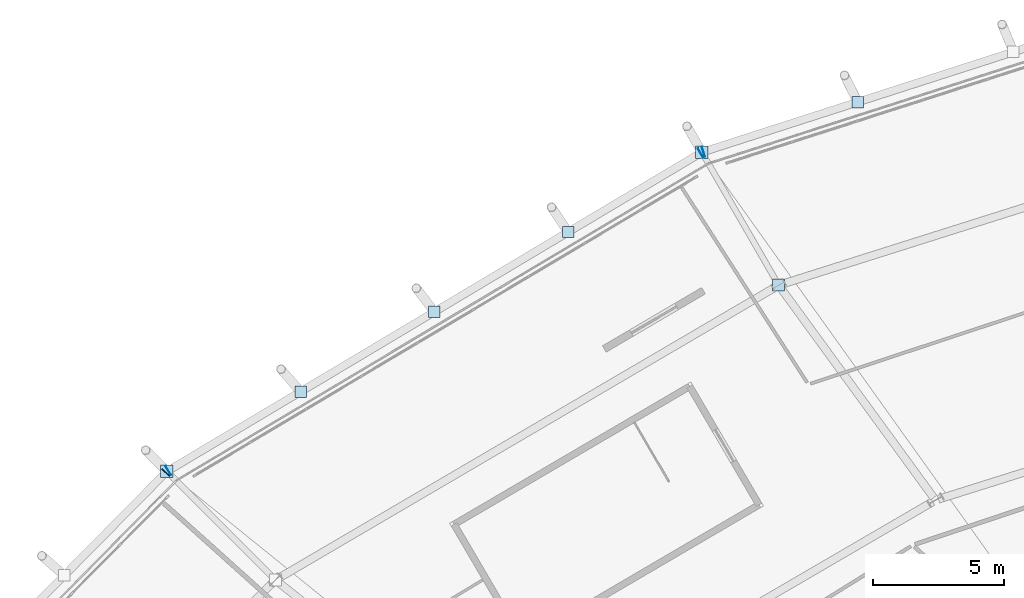
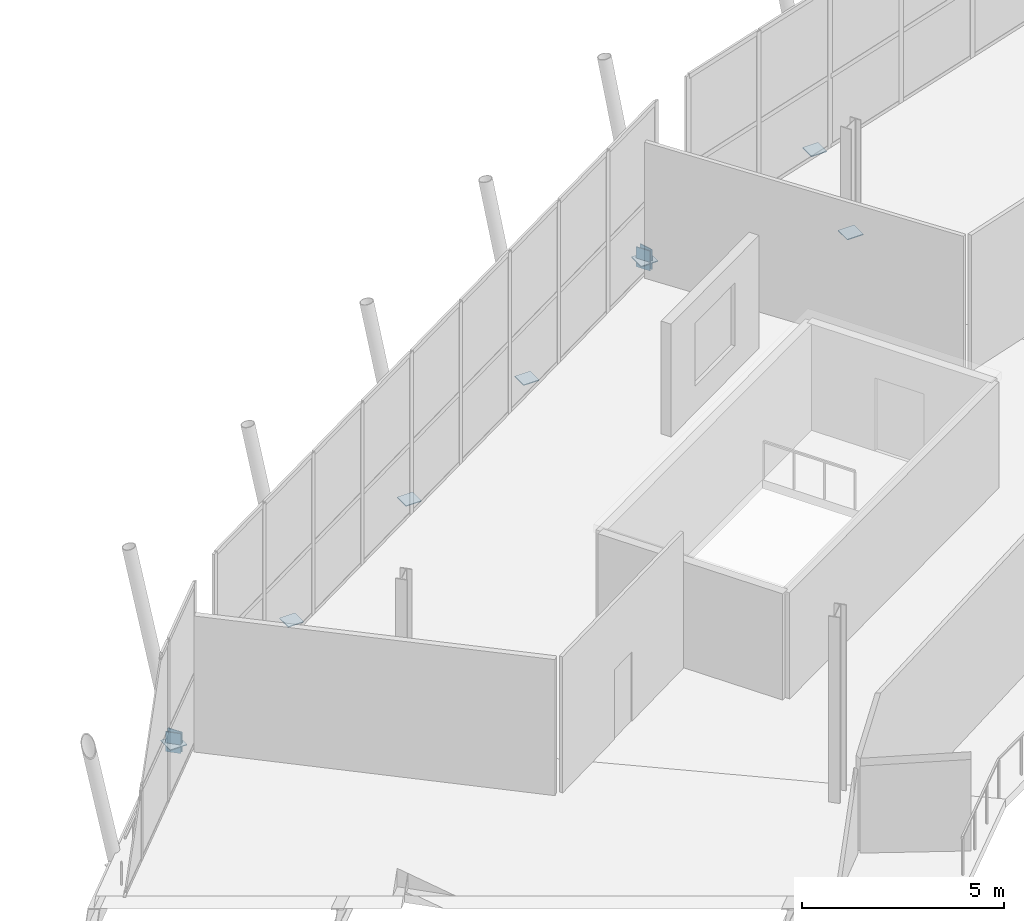
# One storey, part 77 of 99: 11 plates.
"""IFC4 building model written with IfcOpenShell, lengths in metres."""

import ifcopenshell
import ifcopenshell.guid

model = None  # the IFC model being written
_history = None  # IfcOwnerHistory: only IFC2X3 demands one
_inside = {}  # id of a spatial element -> (the spatial element, [elements in it])
_under = {}  # id of a project, library or spatial element -> (it, [spatial elements below it])
_declared = {}  # id of a project -> (the project, [libraries it declares])
_typed = {}  # id of a type object -> (the type object, [elements of that type])
_made_of = {}  # id of a material, layer set ... -> (it, [elements and type objects made of it])


def new_model(schema):
    """Start an empty IFC model of exactly this schema.

    Asked for "IFC4X3", IfcOpenShell would pick the latest addendum, in which some entities
    have other attributes; the version numbers below select the first issue.
    IFC2X3 requires an IfcOwnerHistory on every rooted entity: one is made here for all.
    """
    global model, _history
    if schema == "IFC4X3":
        model = ifcopenshell.file(schema_version=(4, 3, 0, 0))
    else:
        model = ifcopenshell.file(schema=schema)
    _inside.clear()
    _under.clear()
    _declared.clear()
    _typed.clear()
    _made_of.clear()
    _history = None
    if model.schema == "IFC2X3":
        org = make("IfcOrganization", Name="unknown")
        user = make(
            "IfcPersonAndOrganization",
            ThePerson=make("IfcPerson", FamilyName="unknown"),
            TheOrganization=org,
        )
        app = make(
            "IfcApplication",
            ApplicationDeveloper=org,
            Version="unknown",
            ApplicationFullName="unknown",
            ApplicationIdentifier="unknown",
        )
        _history = make(
            "IfcOwnerHistory",
            OwningUser=user,
            OwningApplication=app,
            ChangeAction="ADDED",
            CreationDate=0,
        )
    return model


def make(cls, **values):
    """One entity of the class cls with the attributes given. An attribute that is None is left unset."""
    return model.create_entity(
        cls, **{name: value for name, value in values.items() if value is not None}
    )


def rooted(cls, **values):
    """An entity with a GlobalId (a new one), such as an element, a storey or a relation."""
    return make(cls, GlobalId=ifcopenshell.guid.new(), OwnerHistory=_history, **values)


def si_unit(unit_type, name, prefix=None):
    """IfcSIUnit, for example si_unit("LENGTHUNIT", "METRE", prefix="MILLI")."""
    return make("IfcSIUnit", UnitType=unit_type, Prefix=prefix, Name=name)


def assignment(units):
    """IfcUnitAssignment: the units of a project."""
    return None if units is None else make("IfcUnitAssignment", Units=units)


def point(xyz):
    """IfcCartesianPoint."""
    return None if xyz is None else make("IfcCartesianPoint", Coordinates=xyz)


def direction(xyz):
    """IfcDirection."""
    return None if xyz is None else make("IfcDirection", DirectionRatios=xyz)


def frame(location, z_axis=None, x_axis=None):
    """IfcAxis2Placement3D, a coordinate frame: its origin and axes. An axis left out is left unset."""
    return make(
        "IfcAxis2Placement3D",
        Location=point(location),
        Axis=direction(z_axis),
        RefDirection=direction(x_axis),
    )


def frame_2d(location, x_axis=None):
    """IfcAxis2Placement2D, a coordinate frame in the plane: its origin and x axis."""
    return make(
        "IfcAxis2Placement2D", Location=point(location), RefDirection=direction(x_axis)
    )


def origin():
    """The frame at (0, 0, 0) with its axes left unset."""
    return frame((0.0, 0.0, 0.0))


def origin_2d():
    """The frame at (0, 0) in the plane with its x axis left unset."""
    return frame_2d((0.0, 0.0))


def place(relative_to, where):
    """IfcLocalPlacement: puts the frame where relative to a parent placement (None: the world)."""
    return make(
        "IfcLocalPlacement", PlacementRelTo=relative_to, RelativePlacement=where
    )


def context(
    kind, dimensions, precision=None, world=None, true_north=None, identifier=None
):
    """IfcGeometricRepresentationContext, for example the 3D "Model" context."""
    return make(
        "IfcGeometricRepresentationContext",
        ContextIdentifier=identifier,
        ContextType=kind,
        CoordinateSpaceDimension=dimensions,
        Precision=precision,
        WorldCoordinateSystem=world,
        TrueNorth=true_north,
    )


def subcontext(parent, identifier, kind, view, scale=None):
    """IfcGeometricRepresentationSubContext, for example "Body" below "Model"."""
    return make(
        "IfcGeometricRepresentationSubContext",
        ContextIdentifier=identifier,
        ContextType=kind,
        ParentContext=parent,
        TargetScale=scale,
        TargetView=view,
    )


def project(units=None, contexts=None):
    """IfcProject with its units and contexts."""
    return rooted(
        "IfcProject",
        Name="project",
        RepresentationContexts=contexts,
        UnitsInContext=assignment(units),
    )


def spatial(cls, under=None, at=None, **own):
    """A site, building, storey or space (cls), placed at a placement, below another one or the project."""
    s = rooted(cls, ObjectPlacement=at, **own)
    if under is not None:
        _under.setdefault(under.id(), (under, []))[1].append(s)
    return s


def profile(cls, at=None, kind="AREA", **sizes):
    """A parametric profile (cls). Its sizes go by their IFC names, for example OverallWidth=200.0."""
    return make(cls, ProfileType=kind, Position=at, **sizes)


def rectangle(**sizes):
    """IfcRectangleProfileDef."""
    return profile("IfcRectangleProfileDef", **sizes)


def extrude(swept, where, along, depth):
    """IfcExtrudedAreaSolid: the profile swept, set in the frame where, extruded along a direction by depth."""
    return make(
        "IfcExtrudedAreaSolid",
        SweptArea=swept,
        Position=where,
        ExtrudedDirection=direction(along),
        Depth=depth,
    )


def shape(context_of_items, identifier, shape_type, items):
    """IfcShapeRepresentation: the items that make up one representation, for example the "Body"."""
    return make(
        "IfcShapeRepresentation",
        ContextOfItems=context_of_items,
        RepresentationIdentifier=identifier,
        RepresentationType=shape_type,
        Items=items,
    )


def material(Name=None, Category=None):
    """IfcMaterial."""
    return make("IfcMaterial", Name=Name, Category=Category)


def layer(
    of_material, thickness, ventilated=None, Name=None, Category=None, Priority=None
):
    """IfcMaterialLayer: one layer of a wall or slab, of a material (None: an air gap)."""
    return make(
        "IfcMaterialLayer",
        Material=of_material,
        LayerThickness=thickness,
        IsVentilated=ventilated,
        Name=Name,
        Category=Category,
        Priority=Priority,
    )


def layer_set(layers, Name=None):
    """IfcMaterialLayerSet."""
    return make("IfcMaterialLayerSet", MaterialLayers=layers, LayerSetName=Name)


def made_of(thing, what):
    """Note that an element or type object is made of a material, layer set ...; save() writes the relation."""
    if what is not None:
        _made_of.setdefault(what.id(), (what, []))[1].append(thing)
    return thing


def type_object(cls, material=None, **own):
    """A type object (cls), such as IfcWallType, which elements share."""
    return made_of(rooted(cls, **own), material)


def element(
    cls,
    number,
    at=None,
    inside=None,
    cuts=None,
    type_object=None,
    material=None,
    context=None,
    identifier="Body",
    shape_type=None,
    held_by="IfcProductDefinitionShape",
    body=None,
    shapes=None,
    **own,
):
    """One element of the class cls, such as IfcWall. Its Tag is "e" and its number.

    at: its placement. inside: the storey or other place that contains it. cuts: it is an
    opening in that element (IfcRelVoidsElement). A single representation is given by context,
    identifier, shape_type and body (its items); several are given by shapes. held_by: the class
    of the entity that holds the representations. save() writes the other relations.
    """
    e = rooted(cls, Tag="e%d" % number, ObjectPlacement=at, **own)
    if body is not None:
        shapes = [shape(context, identifier, shape_type, body)]
    if shapes is not None:
        e.Representation = make(held_by, Representations=shapes)
    if inside is not None:
        _inside.setdefault(inside.id(), (inside, []))[1].append(e)
    if cuts is not None:
        rooted(
            "IfcRelVoidsElement", RelatingBuildingElement=cuts, RelatedOpeningElement=e
        )
    if type_object is not None:
        _typed.setdefault(type_object.id(), (type_object, []))[1].append(e)
    return made_of(e, material)


def aggregate(whole, parts):
    """IfcRelAggregates: a whole, such as a stair, and the parts it consists of."""
    return rooted("IfcRelAggregates", RelatingObject=whole, RelatedObjects=parts)


def save(model, path):
    """Write the relations noted so far, then the file.

    IfcRelAggregates (storeys below a building ...), IfcRelContainedInSpatialStructure (elements
    in a storey), IfcRelDefinesByType, IfcRelAssociatesMaterial and IfcRelDeclares: one each for
    every whole, place, type object, material and project.
    """
    for whole, parts in _under.values():
        aggregate(whole, parts)
    for where, things in _inside.values():
        rooted(
            "IfcRelContainedInSpatialStructure",
            RelatedElements=things,
            RelatingStructure=where,
        )
    for kind, things in _typed.values():
        rooted("IfcRelDefinesByType", RelatedObjects=things, RelatingType=kind)
    for what, things in _made_of.values():
        rooted("IfcRelAssociatesMaterial", RelatedObjects=things, RelatingMaterial=what)
    for by, libraries in _declared.values():
        rooted("IfcRelDeclares", RelatingContext=by, RelatedDefinitions=libraries)
    model.write(path)


model = new_model("IFC4")

# Units and contexts
model_context = context("Model", 3, precision=1e-05, world=origin(), true_north=direction((0.0, 1.0)))
body_context = subcontext(model_context, "Body", "Model", "MODEL_VIEW")
ifc_project = project(units=[si_unit("LENGTHUNIT", "METRE"), si_unit("AREAUNIT", "SQUARE_METRE"), si_unit("VOLUMEUNIT", "CUBIC_METRE"), si_unit("PLANEANGLEUNIT", "RADIAN"), si_unit("MASSUNIT", "GRAM", prefix="KILO")], contexts=[model_context])

# Site, building, storey
site_placement = place(None, origin())
site = spatial("IfcSite", under=ifc_project, at=site_placement, CompositionType="ELEMENT")
building_placement = place(site_placement, origin())
building = spatial("IfcBuilding", under=site, at=building_placement, Name="Zlatoyarsky Gate Stadium", CompositionType="ELEMENT")
storey_placement = place(building_placement, frame((0.0, 0.0, 26.199951171875)))
storey = spatial("IfcBuildingStorey", under=building, at=storey_placement, Name="L05", CompositionType="ELEMENT", Elevation=26.199951171875)

# Plates
ifc_material = material(Name="Steel S355", Category="steel")
ifc_layer = layer(ifc_material, 0.02392578125)
ifc_layer_set = layer_set([ifc_layer], Name="Steel S355")
plate_type = type_object("IfcPlateType", Name="STEEL HOLLOW CHORD SPLICE SHEET 24", PredefinedType="SHEET", material=ifc_layer_set)
for number, where, z_axis, x_axis, name in (
    (1, (61.6181640625, 146.5966796875, -0.81005859375), (0.0, 0.0, 1.0), (-0.951855938827, -0.306545709021, 0.0), "Hollow end cap ND-SP1 CAP-L05-SPD-07 B"),
    (2, (61.509521484375, 146.547607421875, -0.81005859375), (0.0, 0.0, 1.0), (-0.858778653596, -0.512346781125, 0.0), "Hollow end cap ND-SP1 CAP-L05-SPD-08 A"),
    (3, (41.134033203125, 134.3916015625, -0.81005859375), (0.0, 0.0, 1.0), (-0.858778653596, -0.512346781125, 0.0), "Hollow end cap ND-SP1 CAP-L05-SPD-08 B"),
):
    element("IfcPlate", number, at=place(storey_placement, frame(where, z_axis=z_axis, x_axis=x_axis)), inside=storey, type_object=plate_type, Name=name, PredefinedType="SHEET", context=body_context, shape_type="SweptSolid", body=[
        extrude(rectangle(XDim=0.02392578125, YDim=0.39990234375, at=origin_2d()), origin(), (0.0, 0.0, 1.0), 0.60009765625),
    ])
plate_1_placement = place(storey_placement, frame((61.56103515625, 146.578369140625, -0.572021484375), z_axis=(0.0, 0.0, 1.0), x_axis=(1.0, 0.0, 0.0)))
element("IfcPlate", 4, at=plate_1_placement, inside=storey, type_object=plate_type, Name="Node closure plate ND-SP1 NCAP-L05-RSTR-08", PredefinedType="SHEET", context=body_context, shape_type="SweptSolid", body=[
    extrude(rectangle(XDim=0.47998046875, YDim=0.47998046875, at=origin_2d()), origin(), (0.0, 0.0, 1.0), 0.02392578125),
])
plate_2_placement = place(storey_placement, frame((41.04052734375, 134.318359375, -0.81005859375), z_axis=(0.0, 0.0, 1.0), x_axis=(-0.702431198843, -0.711751649729, 0.0)))
element("IfcPlate", 5, at=plate_2_placement, inside=storey, type_object=plate_type, Name="Hollow end cap ND-SP1 CAP-L05-SPD-09 A", PredefinedType="SHEET", context=body_context, shape_type="SweptSolid", body=[
    extrude(rectangle(XDim=0.02392578125, YDim=0.39990234375, at=origin_2d()), origin(), (0.0, 0.0, 1.0), 0.60009765625),
])
plate_3_placement = place(storey_placement, frame((41.08251953125, 134.361083984375, -0.572021484375), z_axis=(0.0, 0.0, 1.0), x_axis=(1.0, 0.0, 0.0)))
element("IfcPlate", 6, at=plate_3_placement, inside=storey, type_object=plate_type, Name="Node closure plate ND-SP1 NCAP-L05-RSTR-09", PredefinedType="SHEET", context=body_context, shape_type="SweptSolid", body=[
    extrude(rectangle(XDim=0.47998046875, YDim=0.47998046875, at=origin_2d()), origin(), (0.0, 0.0, 1.0), 0.02392578125),
])
for number, where, z_axis, x_axis, name in (
    (7, (67.52294921875, 148.498291015625, -0.52197265625), (0.0, 0.0, 1.0), (1.0, 0.0, 0.0), "Node closure plate ND-SP1 NCAP-RIB-07-3-3T"),
    (8, (56.44140625, 143.52392578125, -0.52197265625), (0.0, 0.0, 1.0), (1.0, 0.0, 0.0), "Node closure plate ND-SP1 NCAP-RIB-08-1-3T"),
    (9, (51.32177734375, 140.4697265625, -0.52197265625), (0.0, 0.0, 1.0), (1.0, 0.0, 0.0), "Node closure plate ND-SP1 NCAP-RIB-08-2-3T"),
    (10, (46.2021484375, 137.415283203125, -0.52197265625), (0.0, 0.0, 1.0), (1.0, 0.0, 0.0), "Node closure plate ND-SP1 NCAP-RIB-08-3-3T"),
):
    element("IfcPlate", number, at=place(storey_placement, frame(where, z_axis=z_axis, x_axis=x_axis)), inside=storey, type_object=plate_type, Name=name, PredefinedType="SHEET", context=body_context, shape_type="SweptSolid", body=[
        extrude(rectangle(XDim=0.43994140625, YDim=0.43994140625, at=origin_2d()), origin(), (0.0, 0.0, 1.0), 0.02392578125),
    ])
plate_4_placement = place(storey_placement, frame((64.5, 141.48779296875, 2.2880859375), z_axis=(0.0, 0.0, 1.0), x_axis=(1.0, 0.0, 0.0)))
element("IfcPlate", 11, at=plate_4_placement, inside=storey, type_object=plate_type, Name="Node closure plate ND-SP1 NCAP-BPROP-08", PredefinedType="SHEET", context=body_context, shape_type="SweptSolid", body=[
    extrude(rectangle(XDim=0.4599609375, YDim=0.4599609375, at=origin_2d()), origin(), (0.0, 0.0, 1.0), 0.02392578125),
])

save(model, "model.ifc")
